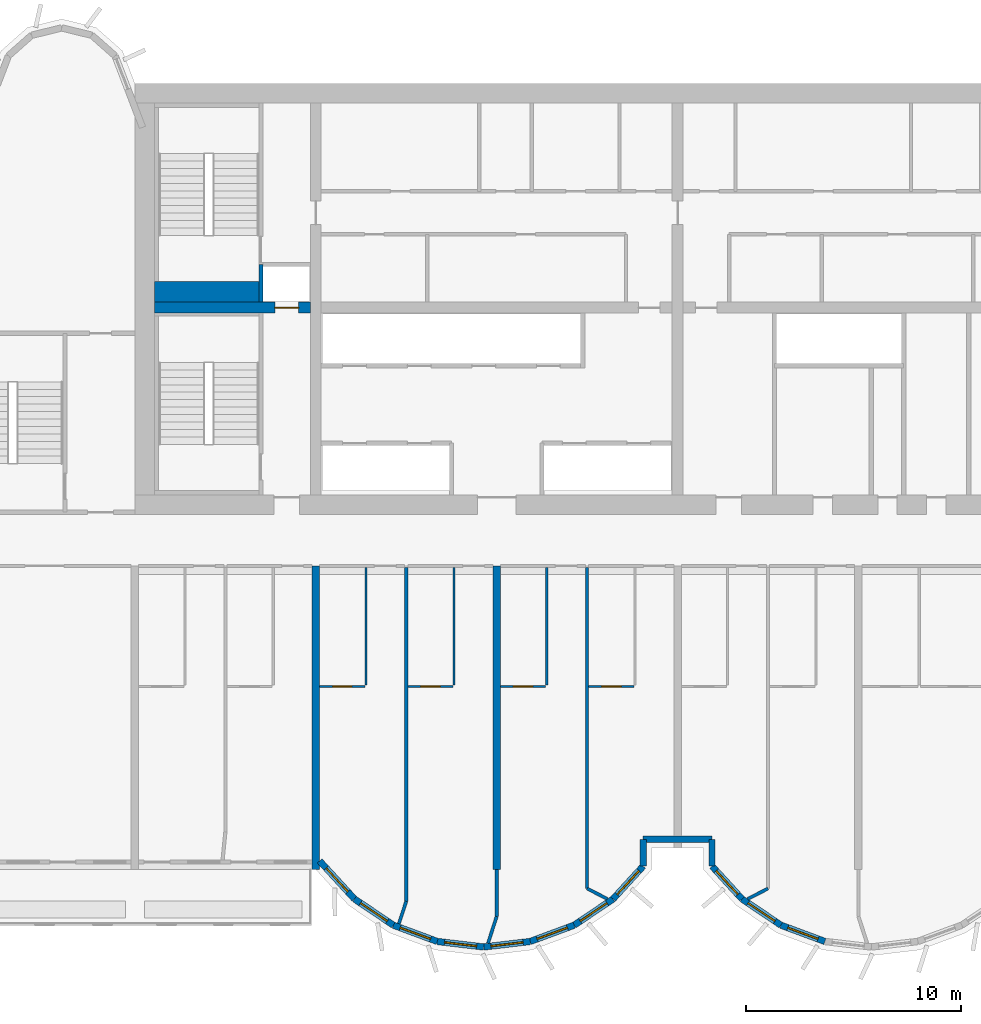
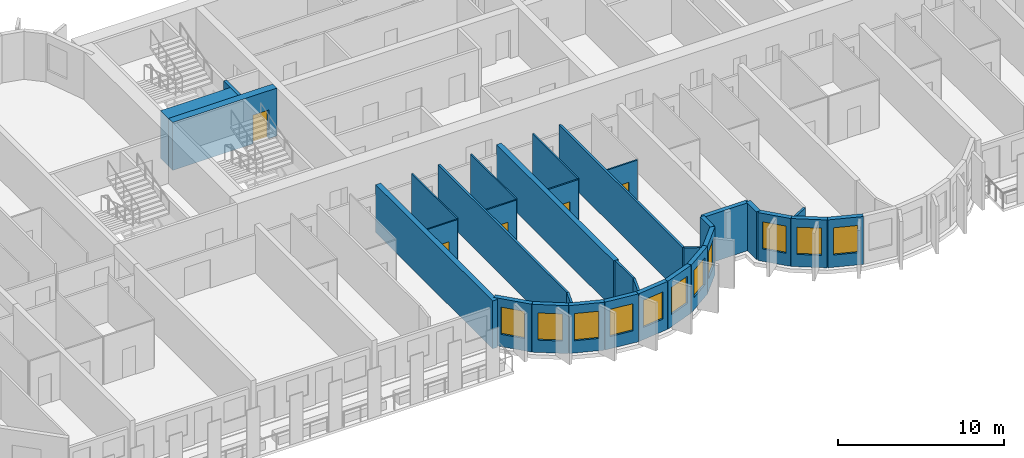
# One storey, part 5 of 15: 33 walls, 11 windows, 5 doors, 16 openings.
"""IFC4 building model written with IfcOpenShell, lengths in metres."""

import ifcopenshell
import ifcopenshell.guid

model = None  # the IFC model being written
_history = None  # IfcOwnerHistory: only IFC2X3 demands one
_inside = {}  # id of a spatial element -> (the spatial element, [elements in it])
_under = {}  # id of a project, library or spatial element -> (it, [spatial elements below it])
_declared = {}  # id of a project -> (the project, [libraries it declares])
_typed = {}  # id of a type object -> (the type object, [elements of that type])
_made_of = {}  # id of a material, layer set ... -> (it, [elements and type objects made of it])


def new_model(schema):
    """Start an empty IFC model of exactly this schema.

    Asked for "IFC4X3", IfcOpenShell would pick the latest addendum, in which some entities
    have other attributes; the version numbers below select the first issue.
    IFC2X3 requires an IfcOwnerHistory on every rooted entity: one is made here for all.
    """
    global model, _history
    if schema == "IFC4X3":
        model = ifcopenshell.file(schema_version=(4, 3, 0, 0))
    else:
        model = ifcopenshell.file(schema=schema)
    _inside.clear()
    _under.clear()
    _declared.clear()
    _typed.clear()
    _made_of.clear()
    _history = None
    if model.schema == "IFC2X3":
        org = make("IfcOrganization", Name="unknown")
        user = make(
            "IfcPersonAndOrganization",
            ThePerson=make("IfcPerson", FamilyName="unknown"),
            TheOrganization=org,
        )
        app = make(
            "IfcApplication",
            ApplicationDeveloper=org,
            Version="unknown",
            ApplicationFullName="unknown",
            ApplicationIdentifier="unknown",
        )
        _history = make(
            "IfcOwnerHistory",
            OwningUser=user,
            OwningApplication=app,
            ChangeAction="ADDED",
            CreationDate=0,
        )
    return model


def make(cls, **values):
    """One entity of the class cls with the attributes given. An attribute that is None is left unset."""
    return model.create_entity(
        cls, **{name: value for name, value in values.items() if value is not None}
    )


def rooted(cls, **values):
    """An entity with a GlobalId (a new one), such as an element, a storey or a relation."""
    return make(cls, GlobalId=ifcopenshell.guid.new(), OwnerHistory=_history, **values)


def si_unit(unit_type, name, prefix=None):
    """IfcSIUnit, for example si_unit("LENGTHUNIT", "METRE", prefix="MILLI")."""
    return make("IfcSIUnit", UnitType=unit_type, Prefix=prefix, Name=name)


def assignment(units):
    """IfcUnitAssignment: the units of a project."""
    return None if units is None else make("IfcUnitAssignment", Units=units)


def point(xyz):
    """IfcCartesianPoint."""
    return None if xyz is None else make("IfcCartesianPoint", Coordinates=xyz)


def direction(xyz):
    """IfcDirection."""
    return None if xyz is None else make("IfcDirection", DirectionRatios=xyz)


def frame(location, z_axis=None, x_axis=None):
    """IfcAxis2Placement3D, a coordinate frame: its origin and axes. An axis left out is left unset."""
    return make(
        "IfcAxis2Placement3D",
        Location=point(location),
        Axis=direction(z_axis),
        RefDirection=direction(x_axis),
    )


def frame_2d(location, x_axis=None):
    """IfcAxis2Placement2D, a coordinate frame in the plane: its origin and x axis."""
    return make(
        "IfcAxis2Placement2D", Location=point(location), RefDirection=direction(x_axis)
    )


def origin():
    """The frame at (0, 0, 0) with its axes left unset."""
    return frame((0.0, 0.0, 0.0))


def place(relative_to, where):
    """IfcLocalPlacement: puts the frame where relative to a parent placement (None: the world)."""
    return make(
        "IfcLocalPlacement", PlacementRelTo=relative_to, RelativePlacement=where
    )


def context(
    kind, dimensions, precision=None, world=None, true_north=None, identifier=None
):
    """IfcGeometricRepresentationContext, for example the 3D "Model" context."""
    return make(
        "IfcGeometricRepresentationContext",
        ContextIdentifier=identifier,
        ContextType=kind,
        CoordinateSpaceDimension=dimensions,
        Precision=precision,
        WorldCoordinateSystem=world,
        TrueNorth=true_north,
    )


def subcontext(parent, identifier, kind, view, scale=None):
    """IfcGeometricRepresentationSubContext, for example "Body" below "Model"."""
    return make(
        "IfcGeometricRepresentationSubContext",
        ContextIdentifier=identifier,
        ContextType=kind,
        ParentContext=parent,
        TargetScale=scale,
        TargetView=view,
    )


def project(units=None, contexts=None):
    """IfcProject with its units and contexts."""
    return rooted(
        "IfcProject",
        Name="project",
        RepresentationContexts=contexts,
        UnitsInContext=assignment(units),
    )


def spatial(cls, under=None, at=None, **own):
    """A site, building, storey or space (cls), placed at a placement, below another one or the project."""
    s = rooted(cls, ObjectPlacement=at, **own)
    if under is not None:
        _under.setdefault(under.id(), (under, []))[1].append(s)
    return s


def profile(cls, at=None, kind="AREA", **sizes):
    """A parametric profile (cls). Its sizes go by their IFC names, for example OverallWidth=200.0."""
    return make(cls, ProfileType=kind, Position=at, **sizes)


def rectangle(**sizes):
    """IfcRectangleProfileDef."""
    return profile("IfcRectangleProfileDef", **sizes)


def extrude(swept, where, along, depth):
    """IfcExtrudedAreaSolid: the profile swept, set in the frame where, extruded along a direction by depth."""
    return make(
        "IfcExtrudedAreaSolid",
        SweptArea=swept,
        Position=where,
        ExtrudedDirection=direction(along),
        Depth=depth,
    )


def shape(context_of_items, identifier, shape_type, items):
    """IfcShapeRepresentation: the items that make up one representation, for example the "Body"."""
    return make(
        "IfcShapeRepresentation",
        ContextOfItems=context_of_items,
        RepresentationIdentifier=identifier,
        RepresentationType=shape_type,
        Items=items,
    )


def source(mapping_origin, context_of_items, identifier, shape_type, items):
    """IfcRepresentationMap: a shape defined once, which mapped items show again and again."""
    return make(
        "IfcRepresentationMap",
        MappingOrigin=mapping_origin,
        MappedRepresentation=shape(context_of_items, identifier, shape_type, items),
    )


def transform(
    local_origin,
    x_axis=None,
    y_axis=None,
    z_axis=None,
    scale=None,
    scale2=None,
    scale3=None,
    uniform=True,
):
    """IfcCartesianTransformationOperator3D, or its non-uniform kind. x_axis, y_axis, z_axis: its Axis1, 2, 3."""
    if uniform:
        return make(
            "IfcCartesianTransformationOperator3D",
            Axis1=direction(x_axis),
            Axis2=direction(y_axis),
            LocalOrigin=point(local_origin),
            Scale=scale,
            Axis3=direction(z_axis),
        )
    return make(
        "IfcCartesianTransformationOperator3DnonUniform",
        Axis1=direction(x_axis),
        Axis2=direction(y_axis),
        LocalOrigin=point(local_origin),
        Scale=scale,
        Axis3=direction(z_axis),
        Scale2=scale2,
        Scale3=scale3,
    )


def mapped(mapping_source, mapping_target):
    """IfcMappedItem: shows the shape of a source again, moved by a transform."""
    return make(
        "IfcMappedItem", MappingSource=mapping_source, MappingTarget=mapping_target
    )


def material(Name=None, Category=None):
    """IfcMaterial."""
    return make("IfcMaterial", Name=Name, Category=Category)


def layer(
    of_material, thickness, ventilated=None, Name=None, Category=None, Priority=None
):
    """IfcMaterialLayer: one layer of a wall or slab, of a material (None: an air gap)."""
    return make(
        "IfcMaterialLayer",
        Material=of_material,
        LayerThickness=thickness,
        IsVentilated=ventilated,
        Name=Name,
        Category=Category,
        Priority=Priority,
    )


def layer_set(layers, Name=None):
    """IfcMaterialLayerSet."""
    return make("IfcMaterialLayerSet", MaterialLayers=layers, LayerSetName=Name)


def made_of(thing, what):
    """Note that an element or type object is made of a material, layer set ...; save() writes the relation."""
    if what is not None:
        _made_of.setdefault(what.id(), (what, []))[1].append(thing)
    return thing


def type_object(cls, material=None, **own):
    """A type object (cls), such as IfcWallType, which elements share."""
    return made_of(rooted(cls, **own), material)


def element(
    cls,
    number,
    at=None,
    inside=None,
    cuts=None,
    type_object=None,
    material=None,
    context=None,
    identifier="Body",
    shape_type=None,
    held_by="IfcProductDefinitionShape",
    body=None,
    shapes=None,
    **own,
):
    """One element of the class cls, such as IfcWall. Its Tag is "e" and its number.

    at: its placement. inside: the storey or other place that contains it. cuts: it is an
    opening in that element (IfcRelVoidsElement). A single representation is given by context,
    identifier, shape_type and body (its items); several are given by shapes. held_by: the class
    of the entity that holds the representations. save() writes the other relations.
    """
    e = rooted(cls, Tag="e%d" % number, ObjectPlacement=at, **own)
    if body is not None:
        shapes = [shape(context, identifier, shape_type, body)]
    if shapes is not None:
        e.Representation = make(held_by, Representations=shapes)
    if inside is not None:
        _inside.setdefault(inside.id(), (inside, []))[1].append(e)
    if cuts is not None:
        rooted(
            "IfcRelVoidsElement", RelatingBuildingElement=cuts, RelatedOpeningElement=e
        )
    if type_object is not None:
        _typed.setdefault(type_object.id(), (type_object, []))[1].append(e)
    return made_of(e, material)


def fill(opening, filler):
    """IfcRelFillsElement: the door or window that sits in an opening."""
    return rooted(
        "IfcRelFillsElement",
        RelatingOpeningElement=opening,
        RelatedBuildingElement=filler,
    )


def aggregate(whole, parts):
    """IfcRelAggregates: a whole, such as a stair, and the parts it consists of."""
    return rooted("IfcRelAggregates", RelatingObject=whole, RelatedObjects=parts)


def save(model, path):
    """Write the relations noted so far, then the file.

    IfcRelAggregates (storeys below a building ...), IfcRelContainedInSpatialStructure (elements
    in a storey), IfcRelDefinesByType, IfcRelAssociatesMaterial and IfcRelDeclares: one each for
    every whole, place, type object, material and project.
    """
    for whole, parts in _under.values():
        aggregate(whole, parts)
    for where, things in _inside.values():
        rooted(
            "IfcRelContainedInSpatialStructure",
            RelatedElements=things,
            RelatingStructure=where,
        )
    for kind, things in _typed.values():
        rooted("IfcRelDefinesByType", RelatedObjects=things, RelatingType=kind)
    for what, things in _made_of.values():
        rooted("IfcRelAssociatesMaterial", RelatedObjects=things, RelatingMaterial=what)
    for by, libraries in _declared.values():
        rooted("IfcRelDeclares", RelatingContext=by, RelatedDefinitions=libraries)
    model.write(path)


model = new_model("IFC4")

# Units and contexts
model_context = context("Model", 3, precision=1e-05, world=origin(), true_north=direction((0.0, 1.0)))
body_context = subcontext(model_context, "Body", "Model", "MODEL_VIEW")
ifc_project = project(units=[si_unit("LENGTHUNIT", "METRE"), si_unit("AREAUNIT", "SQUARE_METRE"), si_unit("VOLUMEUNIT", "CUBIC_METRE"), si_unit("PLANEANGLEUNIT", "RADIAN"), si_unit("MASSUNIT", "GRAM", prefix="KILO")], contexts=[model_context])

# Site, building, storey
site_placement = place(None, origin())
site = spatial("IfcSite", under=ifc_project, at=site_placement, CompositionType="ELEMENT")
building_placement = place(site_placement, origin())
building = spatial("IfcBuilding", under=site, at=building_placement, Name="Vanashikhar Sky Hotel", CompositionType="ELEMENT")
storey_placement = place(building_placement, frame((0.0, 0.0, 91.39990234375)))
storey = spatial("IfcBuildingStorey", under=building, at=storey_placement, Name="L21", CompositionType="ELEMENT", Elevation=91.39990234375)

# Wall, opening, door
ifc_material_1 = material(Name="Concrete M70", Category="concrete")
ifc_layer_1 = layer(ifc_material_1, 0.5)
ifc_layer_set_1 = layer_set([ifc_layer_1], Name="RC core inner wall 500 Concrete M70")
wall_type_1 = type_object("IfcWallType", Name="RC core inner wall 500 Concrete M70", PredefinedType="SHEAR", material=ifc_layer_set_1)
shared_shape_1 = source(origin(), body_context, "Body", "SweptSolid", [
    extrude(rectangle(XDim=7.25, YDim=0.5, at=frame_2d((3.625, 0.0))), origin(), (0.0, 0.0, 1.0), 3.52001953125),
])
wall_1_placement = place(storey_placement, frame((26.10009765625, 31.60009765625, 0.0), z_axis=(0.0, 0.0, 1.0), x_axis=(1.0, 0.0, 0.0)))
wall_1 = element("IfcWall", 1, at=wall_1_placement, inside=storey, type_object=wall_type_1, Name="KW-L21-KY1", PredefinedType="SHEAR", context=body_context, shape_type="MappedRepresentation", body=[
    mapped(shared_shape_1, transform((0.0, 0.0, 0.0), scale=1.0)),
])
shared_shape_2 = source(origin(), body_context, "Body", "SweptSolid", [
    extrude(rectangle(XDim=1.10009765625, YDim=2.10009765625, at=frame_2d((0.550048828125, 1.050048828125))), frame((0.0, 0.260009765625, 0.0), z_axis=(0.0, -1.0, 0.0), x_axis=(1.0, 0.0, 0.0)), (0.0, 0.0, 1.0), 0.52001953125),
])
opening_1_placement = place(wall_1_placement, frame((5.60009765625, 0.0, 0.0)))
opening_1 = element("IfcOpeningElement", 2, at=opening_1_placement, cuts=wall_1, Name="Opening LD", PredefinedType="OPENING", context=body_context, shape_type="MappedRepresentation", body=[
    mapped(shared_shape_2, transform((0.0, 0.0, 0.0), scale=1.0)),
])
ifc_material_2 = material(Name="Stainless steel", Category="steel")
door_type_1 = type_object("IfcDoorType", Name="Lift landing door 1100", OperationType="NOTDEFINED", PredefinedType="DOOR", material=ifc_material_2)
shared_shape_3 = source(origin(), body_context, "Body", "SweptSolid", [
    extrude(rectangle(XDim=1.10009765625, YDim=2.10009765625, at=frame_2d((0.550048828125, 1.050048828125))), frame((0.0, 0.02490234375, 0.0), z_axis=(0.0, -1.0, 0.0), x_axis=(1.0, 0.0, 0.0)), (0.0, 0.0, 1.0), 0.050048828125),
])
door_1_placement = place(opening_1_placement, origin())
door_1 = element("IfcDoor", 3, at=door_1_placement, inside=storey, type_object=door_type_1, Name="Lift landing door 1100", OperationType="SLIDING_TO_RIGHT", OverallHeight=2.10009765625, OverallWidth=1.10009765625, PredefinedType="DOOR", context=body_context, shape_type="MappedRepresentation", body=[
    mapped(shared_shape_3, transform((0.0, 0.0, 0.0), scale=1.0)),
])
fill(opening_1, door_1)

# Walls
ifc_layer_2 = layer(ifc_material_1, 0.35009765625)
ifc_layer_set_2 = layer_set([ifc_layer_2], Name="RC shear wall 350 Concrete M70")
wall_type_2 = type_object("IfcWallType", Name="RC shear wall 350 Concrete M70", PredefinedType="SHEAR", material=ifc_layer_set_2)
shared_shape_4 = source(origin(), body_context, "Body", "SweptSolid", [
    extrude(rectangle(XDim=14.10009765625, YDim=0.35009765625, at=frame_2d((7.050048828125, 0.0))), origin(), (0.0, 0.0, 1.0), 3.52001953125),
])
for number, where, z_axis, x_axis, name in (
    (4, (33.60009765625, 5.5, 0.0), (0.0, 0.0, 1.0), (0.0, 1.0, 0.0), "CW-L21-XW05-1"),
    (5, (42.0, 5.5, 0.0), (0.0, 0.0, 1.0), (0.0, 1.0, 0.0), "CW-L21-XW06-1"),
):
    element("IfcWall", number, at=place(storey_placement, frame(where, z_axis=z_axis, x_axis=x_axis)), inside=storey, type_object=wall_type_2, Name=name, PredefinedType="SHEAR", context=body_context, shape_type="MappedRepresentation", body=[
        mapped(shared_shape_4, transform((0.0, 0.0, 0.0), scale=1.0)),
    ])

# Wall, opening, window
ifc_material_3 = material(Name="Concrete M50", Category="concrete")
ifc_layer_3 = layer(ifc_material_3, 0.300048828125)
ifc_layer_set_3 = layer_set([ifc_layer_3], Name="Lobe wall 300")
wall_type_3 = type_object("IfcWallType", Name="Lobe wall 300", PredefinedType="SOLIDWALL", material=ifc_layer_set_3)
shared_shape_5 = source(origin(), body_context, "Body", "SweptSolid", [
    extrude(rectangle(XDim=2.398193359375, YDim=0.300048828125, at=frame_2d((1.19921875, 0.0))), origin(), (0.0, 0.0, 1.0), 3.52001953125),
])
wall_2_placement = place(storey_placement, frame((33.776123046875, 5.89990234375, 0.0), z_axis=(0.0, 0.0, 1.0), x_axis=(0.675374189419, -0.737475222815, 0.0)))
wall_2 = element("IfcWall", 6, at=wall_2_placement, inside=storey, type_object=wall_type_3, Name="Lobe wall", PredefinedType="SOLIDWALL", context=body_context, shape_type="MappedRepresentation", body=[
    mapped(shared_shape_5, transform((0.0, 0.0, 0.0), scale=1.0)),
])
shared_shape_6 = source(origin(), body_context, "Body", "SweptSolid", [
    extrude(rectangle(XDim=1.5, YDim=2.0, at=frame_2d((0.75, 1.0))), frame((0.0, 0.16015625, 0.0), z_axis=(0.0, -1.0, 0.0), x_axis=(1.0, 0.0, 0.0)), (0.0, 0.0, 1.0), 0.320068359375),
])
opening_2_placement = place(wall_2_placement, frame((0.44921875, 0.0, 0.89990234375)))
opening_2 = element("IfcOpeningElement", 7, at=opening_2_placement, cuts=wall_2, Name="Opening WN-2", PredefinedType="OPENING", context=body_context, shape_type="MappedRepresentation", body=[
    mapped(shared_shape_6, transform((0.0, 0.0, 0.0), scale=1.0)),
])
ifc_material_4 = material(Name="Glass", Category="glass")
window_type = type_object("IfcWindowType", Name="Lobe window 1500 x 2000", PartitioningType="SINGLE_PANEL", PredefinedType="WINDOW", material=ifc_material_4)
shared_shape_7 = source(origin(), body_context, "Body", "SweptSolid", [
    extrude(rectangle(XDim=1.5, YDim=2.0, at=frame_2d((0.75, 1.0))), frame((0.0, 0.030029296875, 0.0), z_axis=(0.0, -1.0, 0.0), x_axis=(1.0, 0.0, 0.0)), (0.0, 0.0, 1.0), 0.06005859375),
])
window_1_placement = place(opening_2_placement, origin())
window_1 = element("IfcWindow", 8, at=window_1_placement, inside=storey, type_object=window_type, Name="Window WN-2", OverallHeight=2.0, OverallWidth=1.5, PartitioningType="SINGLE_PANEL", PredefinedType="WINDOW", context=body_context, shape_type="MappedRepresentation", body=[
    mapped(shared_shape_7, transform((0.0, 0.0, 0.0), scale=1.0)),
])
fill(opening_2, window_1)

shared_shape_8 = source(origin(), body_context, "Body", "SweptSolid", [
    extrude(rectangle(XDim=2.17578125, YDim=0.300048828125, at=frame_2d((1.087890625, 0.0))), origin(), (0.0, 0.0, 1.0), 3.52001953125),
])
wall_3_placement = place(storey_placement, frame((35.395751953125, 4.13134765625, 0.0), z_axis=(0.0, 0.0, 1.0), x_axis=(0.829590746428, -0.558371913192, 0.0)))
wall_3 = element("IfcWall", 9, at=wall_3_placement, inside=storey, type_object=wall_type_3, Name="Lobe wall", PredefinedType="SOLIDWALL", context=body_context, shape_type="MappedRepresentation", body=[
    mapped(shared_shape_8, transform((0.0, 0.0, 0.0), scale=1.0)),
])
opening_3_placement = place(wall_3_placement, frame((0.337890625, 0.0, 0.89990234375)))
opening_3 = element("IfcOpeningElement", 10, at=opening_3_placement, cuts=wall_3, Name="Opening WN-2", PredefinedType="OPENING", context=body_context, shape_type="MappedRepresentation", body=[
    mapped(shared_shape_6, transform((0.0, 0.0, 0.0), scale=1.0)),
])
window_2_placement = place(opening_3_placement, origin())
window_2 = element("IfcWindow", 11, at=window_2_placement, inside=storey, type_object=window_type, Name="Window WN-2", OverallHeight=2.0, OverallWidth=1.5, PartitioningType="SINGLE_PANEL", PredefinedType="WINDOW", context=body_context, shape_type="MappedRepresentation", body=[
    mapped(shared_shape_7, transform((0.0, 0.0, 0.0), scale=1.0)),
])
fill(opening_3, window_2)

wall_4_placement = place(storey_placement, frame((37.20068359375, 2.91650390625, 0.0), z_axis=(0.0, 0.0, 1.0), x_axis=(0.93754555999, -0.347862505801, 0.0)))
wall_4 = element("IfcWall", 12, at=wall_4_placement, inside=storey, type_object=wall_type_3, Name="Lobe wall", PredefinedType="SOLIDWALL", context=body_context, shape_type="MappedRepresentation", body=[
    mapped(shared_shape_8, transform((0.0, 0.0, 0.0), scale=1.0)),
])
opening_4_placement = place(wall_4_placement, frame((0.337890625, 0.0, 0.89990234375)))
opening_4 = element("IfcOpeningElement", 13, at=opening_4_placement, cuts=wall_4, Name="Opening WN-2", PredefinedType="OPENING", context=body_context, shape_type="MappedRepresentation", body=[
    mapped(shared_shape_6, transform((0.0, 0.0, 0.0), scale=1.0)),
])
window_3_placement = place(opening_4_placement, origin())
window_3 = element("IfcWindow", 14, at=window_3_placement, inside=storey, type_object=window_type, Name="Window WN-2", OverallHeight=2.0, OverallWidth=1.5, PartitioningType="SINGLE_PANEL", PredefinedType="WINDOW", context=body_context, shape_type="MappedRepresentation", body=[
    mapped(shared_shape_7, transform((0.0, 0.0, 0.0), scale=1.0)),
])
fill(opening_4, window_3)

wall_5_placement = place(storey_placement, frame((45.59912109375, 2.91650390625, 0.0), z_axis=(0.0, 0.0, 1.0), x_axis=(0.829625727223, 0.558319937607, 0.0)))
wall_5 = element("IfcWall", 15, at=wall_5_placement, inside=storey, type_object=wall_type_3, Name="Lobe wall", PredefinedType="SOLIDWALL", context=body_context, shape_type="MappedRepresentation", body=[
    mapped(shared_shape_8, transform((0.0, 0.0, 0.0), scale=1.0)),
])
opening_5_placement = place(wall_5_placement, frame((0.337890625, 0.0, 0.89990234375)))
opening_5 = element("IfcOpeningElement", 16, at=opening_5_placement, cuts=wall_5, Name="Opening WN-2", PredefinedType="OPENING", context=body_context, shape_type="MappedRepresentation", body=[
    mapped(shared_shape_6, transform((0.0, 0.0, 0.0), scale=1.0)),
])
window_4_placement = place(opening_5_placement, origin())
window_4 = element("IfcWindow", 17, at=window_4_placement, inside=storey, type_object=window_type, Name="Window WN-2", OverallHeight=2.0, OverallWidth=1.5, PartitioningType="SINGLE_PANEL", PredefinedType="WINDOW", context=body_context, shape_type="MappedRepresentation", body=[
    mapped(shared_shape_7, transform((0.0, 0.0, 0.0), scale=1.0)),
])
fill(opening_5, window_4)

wall_6_placement = place(storey_placement, frame((53.395751953125, 4.13134765625, 0.0), z_axis=(0.0, 0.0, 1.0), x_axis=(0.829590746428, -0.558371913192, 0.0)))
wall_6 = element("IfcWall", 18, at=wall_6_placement, inside=storey, type_object=wall_type_3, Name="Lobe wall", PredefinedType="SOLIDWALL", context=body_context, shape_type="MappedRepresentation", body=[
    mapped(shared_shape_8, transform((0.0, 0.0, 0.0), scale=1.0)),
])
opening_6_placement = place(wall_6_placement, frame((0.337890625, 0.0, 0.89990234375)))
opening_6 = element("IfcOpeningElement", 19, at=opening_6_placement, cuts=wall_6, Name="Opening WN-2", PredefinedType="OPENING", context=body_context, shape_type="MappedRepresentation", body=[
    mapped(shared_shape_6, transform((0.0, 0.0, 0.0), scale=1.0)),
])
window_5_placement = place(opening_6_placement, origin())
window_5 = element("IfcWindow", 20, at=window_5_placement, inside=storey, type_object=window_type, Name="Window WN-2", OverallHeight=2.0, OverallWidth=1.5, PartitioningType="SINGLE_PANEL", PredefinedType="WINDOW", context=body_context, shape_type="MappedRepresentation", body=[
    mapped(shared_shape_7, transform((0.0, 0.0, 0.0), scale=1.0)),
])
fill(opening_6, window_5)

wall_7_placement = place(storey_placement, frame((55.20068359375, 2.91650390625, 0.0), z_axis=(0.0, 0.0, 1.0), x_axis=(0.93754555999, -0.347862505801, 0.0)))
wall_7 = element("IfcWall", 21, at=wall_7_placement, inside=storey, type_object=wall_type_3, Name="Lobe wall", PredefinedType="SOLIDWALL", context=body_context, shape_type="MappedRepresentation", body=[
    mapped(shared_shape_8, transform((0.0, 0.0, 0.0), scale=1.0)),
])
opening_7_placement = place(wall_7_placement, frame((0.337890625, 0.0, 0.89990234375)))
opening_7 = element("IfcOpeningElement", 22, at=opening_7_placement, cuts=wall_7, Name="Opening WN-2", PredefinedType="OPENING", context=body_context, shape_type="MappedRepresentation", body=[
    mapped(shared_shape_6, transform((0.0, 0.0, 0.0), scale=1.0)),
])
window_6_placement = place(opening_7_placement, origin())
window_6 = element("IfcWindow", 23, at=window_6_placement, inside=storey, type_object=window_type, Name="Window WN-2", OverallHeight=2.0, OverallWidth=1.5, PartitioningType="SINGLE_PANEL", PredefinedType="WINDOW", context=body_context, shape_type="MappedRepresentation", body=[
    mapped(shared_shape_7, transform((0.0, 0.0, 0.0), scale=1.0)),
])
fill(opening_7, window_6)

shared_shape_9 = source(origin(), body_context, "Body", "SweptSolid", [
    extrude(rectangle(XDim=2.174560546875, YDim=0.300048828125, at=frame_2d((1.08740234375, 0.0))), origin(), (0.0, 0.0, 1.0), 3.52001953125),
])
wall_8_placement = place(storey_placement, frame((39.240478515625, 2.15966796875, 0.0), z_axis=(0.0, 0.0, 1.0), x_axis=(0.993001132889, -0.118104826659, 0.0)))
wall_8 = element("IfcWall", 24, at=wall_8_placement, inside=storey, type_object=wall_type_3, Name="Lobe wall", PredefinedType="SOLIDWALL", context=body_context, shape_type="MappedRepresentation", body=[
    mapped(shared_shape_9, transform((0.0, 0.0, 0.0), scale=1.0)),
])
opening_8_placement = place(wall_8_placement, frame((0.33740234375, 0.0, 0.89990234375)))
opening_8 = element("IfcOpeningElement", 25, at=opening_8_placement, cuts=wall_8, Name="Opening WN-2", PredefinedType="OPENING", context=body_context, shape_type="MappedRepresentation", body=[
    mapped(shared_shape_6, transform((0.0, 0.0, 0.0), scale=1.0)),
])
window_7_placement = place(opening_8_placement, origin())
window_7 = element("IfcWindow", 26, at=window_7_placement, inside=storey, type_object=window_type, Name="Window WN-2", OverallHeight=2.0, OverallWidth=1.5, PartitioningType="SINGLE_PANEL", PredefinedType="WINDOW", context=body_context, shape_type="MappedRepresentation", body=[
    mapped(shared_shape_7, transform((0.0, 0.0, 0.0), scale=1.0)),
])
fill(opening_8, window_7)

shared_shape_10 = source(origin(), body_context, "Body", "SweptSolid", [
    extrude(rectangle(XDim=2.1748046875, YDim=0.300048828125, at=frame_2d((1.08740234375, 0.0))), origin(), (0.0, 0.0, 1.0), 3.52001953125),
])
wall_9_placement = place(storey_placement, frame((41.39990234375, 1.90283203125, 0.0), z_axis=(0.0, 0.0, 1.0), x_axis=(0.993002698611, 0.118091661648, 0.0)))
wall_9 = element("IfcWall", 27, at=wall_9_placement, inside=storey, type_object=wall_type_3, Name="Lobe wall", PredefinedType="SOLIDWALL", context=body_context, shape_type="MappedRepresentation", body=[
    mapped(shared_shape_10, transform((0.0, 0.0, 0.0), scale=1.0)),
])
opening_9_placement = place(wall_9_placement, frame((0.33740234375, 0.0, 0.89990234375)))
opening_9 = element("IfcOpeningElement", 28, at=opening_9_placement, cuts=wall_9, Name="Opening WN-2", PredefinedType="OPENING", context=body_context, shape_type="MappedRepresentation", body=[
    mapped(shared_shape_6, transform((0.0, 0.0, 0.0), scale=1.0)),
])
window_8_placement = place(opening_9_placement, origin())
window_8 = element("IfcWindow", 29, at=window_8_placement, inside=storey, type_object=window_type, Name="Window WN-2", OverallHeight=2.0, OverallWidth=1.5, PartitioningType="SINGLE_PANEL", PredefinedType="WINDOW", context=body_context, shape_type="MappedRepresentation", body=[
    mapped(shared_shape_7, transform((0.0, 0.0, 0.0), scale=1.0)),
])
fill(opening_9, window_8)

shared_shape_11 = source(origin(), body_context, "Body", "SweptSolid", [
    extrude(rectangle(XDim=2.175537109375, YDim=0.300048828125, at=frame_2d((1.087890625, 0.0))), origin(), (0.0, 0.0, 1.0), 3.52001953125),
])
wall_10_placement = place(storey_placement, frame((43.5595703125, 2.15966796875, 0.0), z_axis=(0.0, 0.0, 1.0), x_axis=(0.937531979054, 0.347899106424, 0.0)))
wall_10 = element("IfcWall", 30, at=wall_10_placement, inside=storey, type_object=wall_type_3, Name="Lobe wall", PredefinedType="SOLIDWALL", context=body_context, shape_type="MappedRepresentation", body=[
    mapped(shared_shape_11, transform((0.0, 0.0, 0.0), scale=1.0)),
])
opening_10_placement = place(wall_10_placement, frame((0.337890625, 0.0, 0.89990234375)))
opening_10 = element("IfcOpeningElement", 31, at=opening_10_placement, cuts=wall_10, Name="Opening WN-2", PredefinedType="OPENING", context=body_context, shape_type="MappedRepresentation", body=[
    mapped(shared_shape_6, transform((0.0, 0.0, 0.0), scale=1.0)),
])
window_9_placement = place(opening_10_placement, origin())
window_9 = element("IfcWindow", 32, at=window_9_placement, inside=storey, type_object=window_type, Name="Window WN-2", OverallHeight=2.0, OverallWidth=1.5, PartitioningType="SINGLE_PANEL", PredefinedType="WINDOW", context=body_context, shape_type="MappedRepresentation", body=[
    mapped(shared_shape_7, transform((0.0, 0.0, 0.0), scale=1.0)),
])
fill(opening_10, window_9)

shared_shape_12 = source(origin(), body_context, "Body", "SweptSolid", [
    extrude(rectangle(XDim=2.066650390625, YDim=0.300048828125, at=frame_2d((1.033203125, 0.0))), origin(), (0.0, 0.0, 1.0), 3.52001953125),
])
wall_11_placement = place(storey_placement, frame((47.404296875, 4.13134765625, 0.0), z_axis=(0.0, 0.0, 1.0), x_axis=(0.675355439877, 0.737492393065, 0.0)))
wall_11 = element("IfcWall", 33, at=wall_11_placement, inside=storey, type_object=wall_type_3, Name="Lobe wall", PredefinedType="SOLIDWALL", context=body_context, shape_type="MappedRepresentation", body=[
    mapped(shared_shape_12, transform((0.0, 0.0, 0.0), scale=1.0)),
])
opening_11_placement = place(wall_11_placement, frame((0.283447265625, 0.0, 0.89990234375)))
opening_11 = element("IfcOpeningElement", 34, at=opening_11_placement, cuts=wall_11, Name="Opening WN-2", PredefinedType="OPENING", context=body_context, shape_type="MappedRepresentation", body=[
    mapped(shared_shape_6, transform((0.0, 0.0, 0.0), scale=1.0)),
])
window_10_placement = place(opening_11_placement, origin())
window_10 = element("IfcWindow", 35, at=window_10_placement, inside=storey, type_object=window_type, Name="Window WN-2", OverallHeight=2.0, OverallWidth=1.5, PartitioningType="SINGLE_PANEL", PredefinedType="WINDOW", context=body_context, shape_type="MappedRepresentation", body=[
    mapped(shared_shape_7, transform((0.0, 0.0, 0.0), scale=1.0)),
])
fill(opening_11, window_10)

wall_12_placement = place(storey_placement, frame((52.0, 5.655517578125, 0.0), z_axis=(0.0, 0.0, 1.0), x_axis=(0.675355439877, -0.737492393065, 0.0)))
wall_12 = element("IfcWall", 36, at=wall_12_placement, inside=storey, type_object=wall_type_3, Name="Lobe wall", PredefinedType="SOLIDWALL", context=body_context, shape_type="MappedRepresentation", body=[
    mapped(shared_shape_12, transform((0.0, 0.0, 0.0), scale=1.0)),
])
opening_12_placement = place(wall_12_placement, frame((0.283447265625, 0.0, 0.89990234375)))
opening_12 = element("IfcOpeningElement", 37, at=opening_12_placement, cuts=wall_12, Name="Opening WN-2", PredefinedType="OPENING", context=body_context, shape_type="MappedRepresentation", body=[
    mapped(shared_shape_6, transform((0.0, 0.0, 0.0), scale=1.0)),
])
window_11_placement = place(opening_12_placement, origin())
window_11 = element("IfcWindow", 38, at=window_11_placement, inside=storey, type_object=window_type, Name="Window WN-2", OverallHeight=2.0, OverallWidth=1.5, PartitioningType="SINGLE_PANEL", PredefinedType="WINDOW", context=body_context, shape_type="MappedRepresentation", body=[
    mapped(shared_shape_7, transform((0.0, 0.0, 0.0), scale=1.0)),
])
fill(opening_12, window_11)

# Walls
shared_shape_13 = source(origin(), body_context, "Body", "SweptSolid", [
    extrude(rectangle(XDim=1.244384765625, YDim=0.300048828125, at=frame_2d((0.6220703125, 0.0))), origin(), (0.0, 0.0, 1.0), 3.52001953125),
])
for number, where, z_axis, x_axis, name in (
    (39, (48.800048828125, 5.655517578125, 0.0), (0.0, 0.0, 1.0), (0.0, 1.0, 0.0), "Groove wall"),
    (40, (52.0, 6.89990234375, 0.0), (0.0, 0.0, 1.0), (0.0, -1.0, 0.0), "Groove wall"),
):
    element("IfcWall", number, at=place(storey_placement, frame(where, z_axis=z_axis, x_axis=x_axis)), inside=storey, type_object=wall_type_3, Name=name, PredefinedType="SOLIDWALL", context=body_context, shape_type="MappedRepresentation", body=[
        mapped(shared_shape_13, transform((0.0, 0.0, 0.0), scale=1.0)),
    ])
shared_shape_14 = source(origin(), body_context, "Body", "SweptSolid", [
    extrude(rectangle(XDim=3.199951171875, YDim=0.300048828125, at=frame_2d((1.60009765625, 0.0))), origin(), (0.0, 0.0, 1.0), 3.52001953125),
])
wall_13_placement = place(storey_placement, frame((48.800048828125, 6.89990234375, 0.0), z_axis=(0.0, 0.0, 1.0), x_axis=(1.0, 0.0, 0.0)))
element("IfcWall", 41, at=wall_13_placement, inside=storey, type_object=wall_type_3, Name="Groove wall", PredefinedType="SOLIDWALL", context=body_context, shape_type="MappedRepresentation", body=[
    mapped(shared_shape_14, transform((0.0, 0.0, 0.0), scale=1.0)),
])
ifc_material_5 = material(Name="Concrete M40", Category="concrete")
ifc_layer_4 = layer(ifc_material_5, 0.199951171875)
ifc_layer_set_4 = layer_set([ifc_layer_4], Name="Shaft wall 200")
wall_type_4 = type_object("IfcWallType", Name="Shaft wall 200", PredefinedType="SOLIDWALL", material=ifc_layer_set_4)
shared_shape_15 = source(origin(), body_context, "Body", "SweptSolid", [
    extrude(rectangle(XDim=1.75, YDim=0.199951171875, at=frame_2d((0.875, 0.0))), origin(), (0.0, 0.0, 1.0), 3.52001953125),
])
wall_14_placement = place(storey_placement, frame((31.050048828125, 31.85009765625, 0.0), z_axis=(0.0, 0.0, 1.0), x_axis=(0.0, 1.0, 0.0)))
element("IfcWall", 42, at=wall_14_placement, inside=storey, type_object=wall_type_4, Name="Shaft wall 200", PredefinedType="SOLIDWALL", context=body_context, shape_type="MappedRepresentation", body=[
    mapped(shared_shape_15, transform((0.0, 0.0, 0.0), scale=1.0)),
])
ifc_layer_5 = layer(ifc_material_3, 0.949951171875)
ifc_layer_set_5 = layer_set([ifc_layer_5], Name="Stair infill wall 950")
wall_type_5 = type_object("IfcWallType", Name="Stair infill wall 950", PredefinedType="SOLIDWALL", material=ifc_layer_set_5)
shared_shape_16 = source(origin(), body_context, "Body", "SweptSolid", [
    extrude(rectangle(XDim=4.849853515625, YDim=0.949951171875, at=frame_2d((2.4248046875, 0.0))), origin(), (0.0, 0.0, 1.0), 3.52001953125),
])
wall_15_placement = place(storey_placement, frame((26.10009765625, 32.324951171875, 0.0), z_axis=(0.0, 0.0, 1.0), x_axis=(1.0, 0.0, 0.0)))
element("IfcWall", 43, at=wall_15_placement, inside=storey, type_object=wall_type_5, Name="Stair infill wall 950", PredefinedType="SOLIDWALL", context=body_context, shape_type="MappedRepresentation", body=[
    mapped(shared_shape_16, transform((0.0, 0.0, 0.0), scale=1.0)),
])
ifc_material_6 = material(Name="Gypsum plasterboard partition")
ifc_layer_6 = layer(ifc_material_6, 0.14990234375)
ifc_layer_set_6 = layer_set([ifc_layer_6], Name="Corridor and demising partition 150")
wall_type_6 = type_object("IfcWallType", Name="Corridor and demising partition 150", PredefinedType="PARTITIONING", material=ifc_layer_set_6)
shared_shape_17 = source(origin(), body_context, "Body", "SweptSolid", [
    extrude(rectangle(XDim=2.177978515625, YDim=0.14990234375, at=frame_2d((1.0888671875, 0.0))), origin(), (0.0, 0.0, 1.0), 3.52001953125),
])
wall_16_placement = place(storey_placement, frame((42.0, 3.322021484375, 0.0), z_axis=(0.0, 0.0, 1.0), x_axis=(0.0, 1.0, 0.0)))
element("IfcWall", 44, at=wall_16_placement, inside=storey, type_object=wall_type_6, Name="W-L21-PW071", PredefinedType="PARTITIONING", context=body_context, shape_type="MappedRepresentation", body=[
    mapped(shared_shape_17, transform((0.0, 0.0, 0.0), scale=1.0)),
])
shared_shape_18 = source(origin(), body_context, "Body", "SweptSolid", [
    extrude(rectangle(XDim=1.100830078125, YDim=0.14990234375, at=frame_2d((0.55029296875, 0.0))), origin(), (0.0, 0.0, 1.0), 3.52001953125),
])
wall_17_placement = place(storey_placement, frame((37.45703125, 2.98095703125, 0.0), z_axis=(0.0, 0.0, 1.0), x_axis=(0.311567081539, 0.950224159712, 0.0)))
element("IfcWall", 45, at=wall_17_placement, inside=storey, type_object=wall_type_6, Name="W-L21-PW027B0", PredefinedType="PARTITIONING", context=body_context, shape_type="MappedRepresentation", body=[
    mapped(shared_shape_18, transform((0.0, 0.0, 0.0), scale=1.0)),
])
shared_shape_19 = source(origin(), body_context, "Body", "SweptSolid", [
    extrude(rectangle(XDim=1.0576171875, YDim=0.14990234375, at=frame_2d((0.52880859375, 0.0))), origin(), (0.0, 0.0, 1.0), 3.52001953125),
])
wall_18_placement = place(storey_placement, frame((47.139892578125, 4.134033203125, 0.0), z_axis=(0.0, 0.0, 1.0), x_axis=(-0.888723819054, 0.458442988218, 0.0)))
element("IfcWall", 46, at=wall_18_placement, inside=storey, type_object=wall_type_6, Name="W-L21-PW034B0", PredefinedType="PARTITIONING", context=body_context, shape_type="MappedRepresentation", body=[
    mapped(shared_shape_19, transform((0.0, 0.0, 0.0), scale=1.0)),
])
shared_shape_20 = source(origin(), body_context, "Body", "SweptSolid", [
    extrude(rectangle(XDim=1.057861328125, YDim=0.14990234375, at=frame_2d((0.52880859375, 0.0))), origin(), (0.0, 0.0, 1.0), 3.52001953125),
])
wall_19_placement = place(storey_placement, frame((53.659912109375, 4.134033203125, 0.0), z_axis=(0.0, 0.0, 1.0), x_axis=(0.888772319209, 0.458348955063, 0.0)))
element("IfcWall", 47, at=wall_19_placement, inside=storey, type_object=wall_type_6, Name="W-L21-PW041B0", PredefinedType="PARTITIONING", context=body_context, shape_type="MappedRepresentation", body=[
    mapped(shared_shape_20, transform((0.0, 0.0, 0.0), scale=1.0)),
])
shared_shape_21 = source(origin(), body_context, "Body", "SweptSolid", [
    extrude(rectangle(XDim=1.308349609375, YDim=0.14990234375, at=frame_2d((0.654296875, 0.0))), origin(), (0.0, 0.0, 1.0), 3.52001953125),
])
wall_20_placement = place(storey_placement, frame((41.597900390625, 2.076904296875, 0.0), z_axis=(0.0, 0.0, 1.0), x_axis=(0.307313512187, 0.951608325535, 0.0)))
element("IfcWall", 48, at=wall_20_placement, inside=storey, type_object=wall_type_6, Name="W-L21-PW071B0", PredefinedType="PARTITIONING", context=body_context, shape_type="MappedRepresentation", body=[
    mapped(shared_shape_21, transform((0.0, 0.0, 0.0), scale=1.0)),
])
ifc_layer_7 = layer(ifc_material_6, 0.10009765625)
ifc_layer_set_7 = layer_set([ifc_layer_7], Name="Wet room partition 100")
wall_type_7 = type_object("IfcWallType", Name="Wet room partition 100", PredefinedType="PARTITIONING", material=ifc_layer_set_7)
shared_shape_22 = source(origin(), body_context, "Body", "SweptSolid", [
    extrude(rectangle(XDim=5.449951171875, YDim=0.10009765625, at=frame_2d((2.72509765625, 0.0))), origin(), (0.0, 0.0, 1.0), 3.52001953125),
])
for number, where, z_axis, x_axis, name in (
    (49, (35.925048828125, 14.074951171875, 0.0), (0.0, 0.0, 1.0), (0.0, 1.0, 0.0), "W-L21-PW021"),
    (50, (40.02490234375, 14.074951171875, 0.0), (0.0, 0.0, 1.0), (0.0, 1.0, 0.0), "W-L21-PW024"),
    (51, (44.324951171875, 14.074951171875, 0.0), (0.0, 0.0, 1.0), (0.0, 1.0, 0.0), "W-L21-PW028"),
):
    element("IfcWall", number, at=place(storey_placement, frame(where, z_axis=z_axis, x_axis=x_axis)), inside=storey, type_object=wall_type_7, Name=name, PredefinedType="PARTITIONING", context=body_context, shape_type="MappedRepresentation", body=[
        mapped(shared_shape_22, transform((0.0, 0.0, 0.0), scale=1.0)),
    ])

# Wall, opening, door
shared_shape_23 = source(origin(), body_context, "Body", "SweptSolid", [
    extrude(rectangle(XDim=2.10009765625, YDim=0.10009765625, at=frame_2d((1.050048828125, 0.0))), origin(), (0.0, 0.0, 1.0), 3.52001953125),
])
wall_21_placement = place(storey_placement, frame((33.77490234375, 14.0, 0.0), z_axis=(0.0, 0.0, 1.0), x_axis=(1.0, 0.0, 0.0)))
wall_21 = element("IfcWall", 52, at=wall_21_placement, inside=storey, type_object=wall_type_7, Name="W-L21-PW022", PredefinedType="PARTITIONING", context=body_context, shape_type="MappedRepresentation", body=[
    mapped(shared_shape_23, transform((0.0, 0.0, 0.0), scale=1.0)),
])
shared_shape_24 = source(origin(), body_context, "Body", "SweptSolid", [
    extrude(rectangle(XDim=0.89990234375, YDim=2.10009765625, at=frame_2d((0.449951171875, 1.050048828125))), frame((0.0, 0.06005859375, 0.0), z_axis=(0.0, -1.0, 0.0), x_axis=(1.0, 0.0, 0.0)), (0.0, 0.0, 1.0), 0.1201171875),
])
opening_13_placement = place(wall_21_placement, frame((0.60009765625, 0.0, 0.0)))
opening_13 = element("IfcOpeningElement", 53, at=opening_13_placement, cuts=wall_21, Name="Opening D-02", PredefinedType="OPENING", context=body_context, shape_type="MappedRepresentation", body=[
    mapped(shared_shape_24, transform((0.0, 0.0, 0.0), scale=1.0)),
])
ifc_material_7 = material(Name="Timber door", Category="wood")
door_type_2 = type_object("IfcDoorType", Name="Internal door 900", OperationType="NOTDEFINED", PredefinedType="DOOR", material=ifc_material_7)
shared_shape_25 = source(origin(), body_context, "Body", "SweptSolid", [
    extrude(rectangle(XDim=0.89990234375, YDim=2.10009765625, at=frame_2d((0.449951171875, 1.050048828125))), frame((0.0, 0.02490234375, 0.0), z_axis=(0.0, -1.0, 0.0), x_axis=(1.0, 0.0, 0.0)), (0.0, 0.0, 1.0), 0.050048828125),
])
door_2_placement = place(opening_13_placement, origin())
door_2 = element("IfcDoor", 54, at=door_2_placement, inside=storey, type_object=door_type_2, Name="D-L21-013", OperationType="SINGLE_SWING_RIGHT", OverallHeight=2.10009765625, OverallWidth=0.89990234375, PredefinedType="DOOR", context=body_context, shape_type="MappedRepresentation", body=[
    mapped(shared_shape_25, transform((0.0, 0.0, 0.0), scale=1.0)),
])
fill(opening_13, door_2)

wall_22_placement = place(storey_placement, frame((37.875, 14.0, 0.0), z_axis=(0.0, 0.0, 1.0), x_axis=(1.0, 0.0, 0.0)))
wall_22 = element("IfcWall", 55, at=wall_22_placement, inside=storey, type_object=wall_type_7, Name="W-L21-PW025", PredefinedType="PARTITIONING", context=body_context, shape_type="MappedRepresentation", body=[
    mapped(shared_shape_23, transform((0.0, 0.0, 0.0), scale=1.0)),
])
opening_14_placement = place(wall_22_placement, frame((0.60009765625, 0.0, 0.0)))
opening_14 = element("IfcOpeningElement", 56, at=opening_14_placement, cuts=wall_22, Name="Opening D-02", PredefinedType="OPENING", context=body_context, shape_type="MappedRepresentation", body=[
    mapped(shared_shape_24, transform((0.0, 0.0, 0.0), scale=1.0)),
])
door_3_placement = place(opening_14_placement, origin())
door_3 = element("IfcDoor", 57, at=door_3_placement, inside=storey, type_object=door_type_2, Name="D-L21-015", OperationType="SINGLE_SWING_RIGHT", OverallHeight=2.10009765625, OverallWidth=0.89990234375, PredefinedType="DOOR", context=body_context, shape_type="MappedRepresentation", body=[
    mapped(shared_shape_25, transform((0.0, 0.0, 0.0), scale=1.0)),
])
fill(opening_14, door_3)

wall_23_placement = place(storey_placement, frame((46.27490234375, 14.0, 0.0), z_axis=(0.0, 0.0, 1.0), x_axis=(1.0, 0.0, 0.0)))
wall_23 = element("IfcWall", 58, at=wall_23_placement, inside=storey, type_object=wall_type_7, Name="W-L21-PW032", PredefinedType="PARTITIONING", context=body_context, shape_type="MappedRepresentation", body=[
    mapped(shared_shape_23, transform((0.0, 0.0, 0.0), scale=1.0)),
])
opening_15_placement = place(wall_23_placement, frame((0.60009765625, 0.0, 0.0)))
opening_15 = element("IfcOpeningElement", 59, at=opening_15_placement, cuts=wall_23, Name="Opening D-02", PredefinedType="OPENING", context=body_context, shape_type="MappedRepresentation", body=[
    mapped(shared_shape_24, transform((0.0, 0.0, 0.0), scale=1.0)),
])
door_4_placement = place(opening_15_placement, origin())
door_4 = element("IfcDoor", 60, at=door_4_placement, inside=storey, type_object=door_type_2, Name="D-L21-019", OperationType="SINGLE_SWING_RIGHT", OverallHeight=2.10009765625, OverallWidth=0.89990234375, PredefinedType="DOOR", context=body_context, shape_type="MappedRepresentation", body=[
    mapped(shared_shape_25, transform((0.0, 0.0, 0.0), scale=1.0)),
])
fill(opening_15, door_4)

shared_shape_26 = source(origin(), body_context, "Body", "SweptSolid", [
    extrude(rectangle(XDim=2.099853515625, YDim=0.10009765625, at=frame_2d((1.0498046875, 0.0))), origin(), (0.0, 0.0, 1.0), 3.52001953125),
])
wall_24_placement = place(storey_placement, frame((42.175048828125, 14.0, 0.0), z_axis=(0.0, 0.0, 1.0), x_axis=(1.0, 0.0, 0.0)))
wall_24 = element("IfcWall", 61, at=wall_24_placement, inside=storey, type_object=wall_type_7, Name="W-L21-PW029", PredefinedType="PARTITIONING", context=body_context, shape_type="MappedRepresentation", body=[
    mapped(shared_shape_26, transform((0.0, 0.0, 0.0), scale=1.0)),
])
opening_16_placement = place(wall_24_placement, frame((0.60009765625, 0.0, 0.0)))
opening_16 = element("IfcOpeningElement", 62, at=opening_16_placement, cuts=wall_24, Name="Opening D-02", PredefinedType="OPENING", context=body_context, shape_type="MappedRepresentation", body=[
    mapped(shared_shape_24, transform((0.0, 0.0, 0.0), scale=1.0)),
])
door_5_placement = place(opening_16_placement, origin())
door_5 = element("IfcDoor", 63, at=door_5_placement, inside=storey, type_object=door_type_2, Name="D-L21-017", OperationType="SINGLE_SWING_RIGHT", OverallHeight=2.10009765625, OverallWidth=0.89990234375, PredefinedType="DOOR", context=body_context, shape_type="MappedRepresentation", body=[
    mapped(shared_shape_25, transform((0.0, 0.0, 0.0), scale=1.0)),
])
fill(opening_16, door_5)

# Walls
shared_shape_27 = source(origin(), body_context, "Body", "SweptSolid", [
    extrude(rectangle(XDim=15.497802734375, YDim=0.14990234375, at=frame_2d((7.7490234375, 0.0))), origin(), (0.0, 0.0, 1.0), 3.52001953125),
])
wall_25_placement = place(storey_placement, frame((37.800048828125, 4.027099609375, 0.0), z_axis=(0.0, 0.0, 1.0), x_axis=(0.0, 1.0, 0.0)))
element("IfcWall", 64, at=wall_25_placement, inside=storey, type_object=wall_type_6, Name="W-L21-PW027", PredefinedType="PARTITIONING", context=body_context, shape_type="MappedRepresentation", body=[
    mapped(shared_shape_27, transform((0.0, 0.0, 0.0), scale=1.0)),
])
shared_shape_28 = source(origin(), body_context, "Body", "SweptSolid", [
    extrude(rectangle(XDim=14.906005859375, YDim=0.14990234375, at=frame_2d((7.453125, 0.0))), origin(), (0.0, 0.0, 1.0), 3.52001953125),
])
wall_26_placement = place(storey_placement, frame((46.199951171875, 4.618896484375, 0.0), z_axis=(0.0, 0.0, 1.0), x_axis=(0.0, 1.0, 0.0)))
element("IfcWall", 65, at=wall_26_placement, inside=storey, type_object=wall_type_6, Name="W-L21-PW034", PredefinedType="PARTITIONING", context=body_context, shape_type="MappedRepresentation", body=[
    mapped(shared_shape_28, transform((0.0, 0.0, 0.0), scale=1.0)),
])

save(model, "model.ifc")
